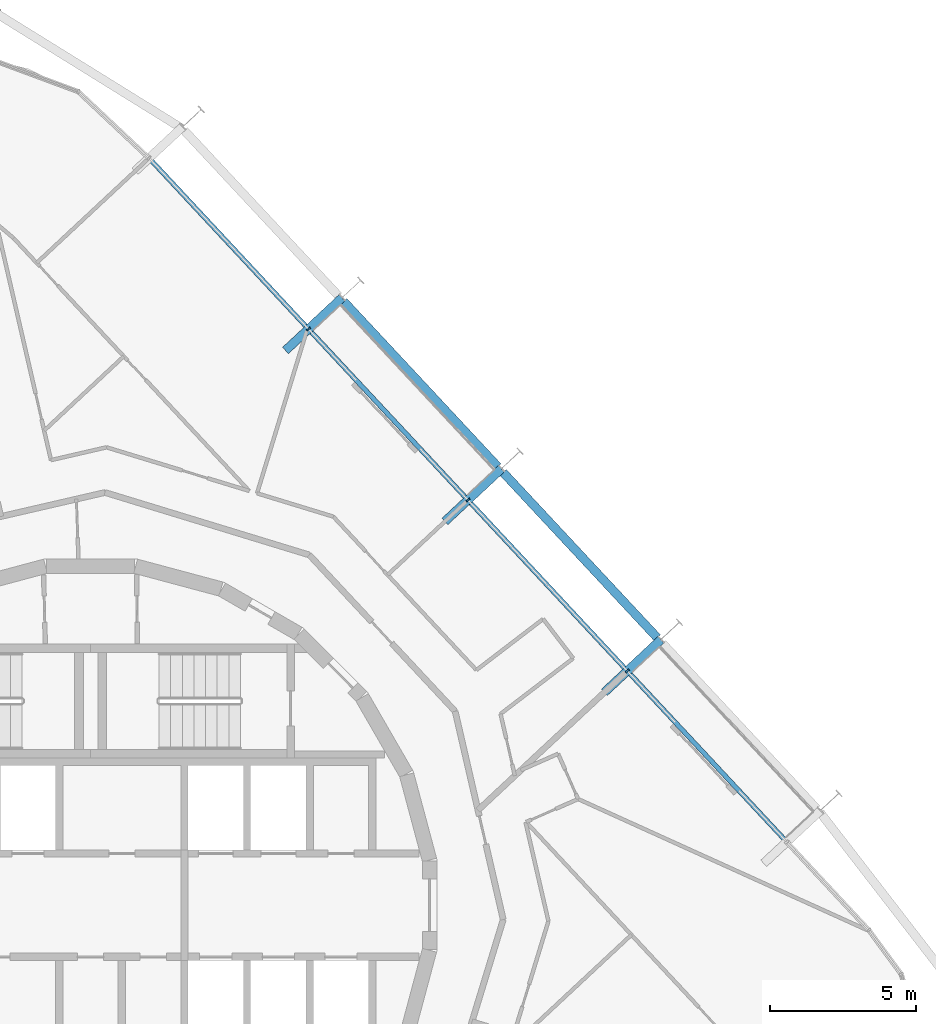
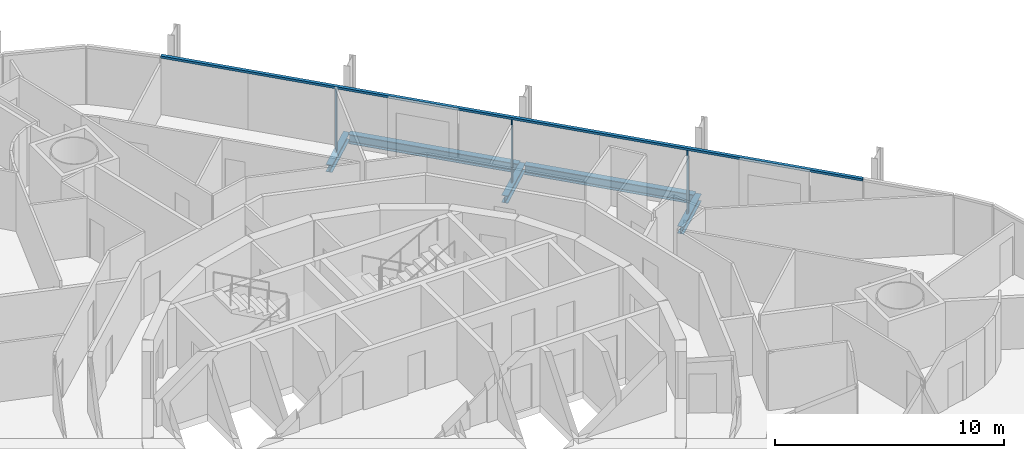
# One storey, part 9 of 18: 5 beams, 4 members, 1 element without a shape of its own.
"""IFC4 building model written with IfcOpenShell, lengths in metres."""

from ifc_helpers import new_model, si_unit, direction, frame, origin, origin_2d, place, context, subcontext, project, spatial, rectangle, i_section, extrude, material, layer, layer_set, material_profile, profile_set, type_object, element, aggregate, save


model = new_model("IFC4")

# Units and contexts
model_context = context("Model", 3, precision=1e-05, world=origin(), true_north=direction((0.0, 1.0)))
body_context = subcontext(model_context, "Body", "Model", "MODEL_VIEW")
ifc_project = project(units=[si_unit("LENGTHUNIT", "METRE"), si_unit("AREAUNIT", "SQUARE_METRE"), si_unit("VOLUMEUNIT", "CUBIC_METRE"), si_unit("PLANEANGLEUNIT", "RADIAN"), si_unit("MASSUNIT", "GRAM", prefix="KILO")], contexts=[model_context])

# Site, building, storey
site_placement = place(None, origin())
site = spatial("IfcSite", under=ifc_project, at=site_placement, CompositionType="ELEMENT")
building_placement = place(site_placement, origin())
building = spatial("IfcBuilding", under=site, at=building_placement, Name="Spindle Arch Residences", CompositionType="ELEMENT")
storey_placement = place(building_placement, frame((0.0, 0.0, 130.89990234375)))
storey = spatial("IfcBuildingStorey", under=building, at=storey_placement, Name="L32", CompositionType="ELEMENT", Elevation=130.89990234375)

# Curtain wall, members
ifc_material_1 = material(Name="Aluminium bronze unitised frame with tinted glass", Category="aluminium")
ifc_layer = layer(ifc_material_1, 0.159912109375)
ifc_layer_set = layer_set([ifc_layer], Name="CW-C typical residential unitised wall")
curtain_wall_type = type_object("IfcCurtainWallType", Name="CW-C typical residential unitised wall", PredefinedType="NOTDEFINED", material=ifc_layer_set)
curtain_wall_placement = place(storey_placement, origin())
curtain_wall = element("IfcCurtainWall", 1, at=curtain_wall_placement, inside=storey, type_object=curtain_wall_type, Name="CW-C L32 run 2", PredefinedType="NOTDEFINED")
ifc_material_2 = material(Name="Aluminium bronze anodised mullion", Category="aluminium")
ifc_material_profile_1 = material_profile(ifc_material_2, rectangle(XDim=0.159912109375, YDim=0.06005859375, at=origin_2d()), Name="MU 60x160")
ifc_profile_set_1 = profile_set([ifc_material_profile_1], Name="Aluminium bronze anodised mullion")
member_type_1 = type_object("IfcMemberType", Name="Bronze mullion 60x160", PredefinedType="MULLION", material=ifc_profile_set_1)
member_1_placement = place(storey_placement, frame((18.437744140625, 8.044677734375, -0.3798828125), z_axis=(0.0, 0.0, 1.0), x_axis=(-0.731353701619, -0.681998360062, 0.0)))
member_1 = element("IfcMember", 2, at=member_1_placement, type_object=member_type_1, Name="CW-C mullion 06", PredefinedType="MULLION", context=body_context, shape_type="SweptSolid", body=[
    extrude(rectangle(XDim=0.159912109375, YDim=0.06005859375, at=origin_2d()), origin(), (0.0, 0.0, 1.0), 3.3798828125),
])
member_2_placement = place(storey_placement, frame((12.961669921875, 13.916748046875, -0.3798828125), z_axis=(0.0, 0.0, 1.0), x_axis=(-0.731353701619, -0.681998360062, 0.0)))
member_2 = element("IfcMember", 3, at=member_2_placement, type_object=member_type_1, Name="CW-C mullion 07", PredefinedType="MULLION", context=body_context, shape_type="SweptSolid", body=[
    extrude(rectangle(XDim=0.159912109375, YDim=0.06005859375, at=origin_2d()), origin(), (0.0, 0.0, 1.0), 3.3798828125),
])
member_3_placement = place(storey_placement, frame((7.48583984375, 19.7890625, -0.3798828125), z_axis=(0.0, 0.0, 1.0), x_axis=(-0.731353701619, -0.681998360062, 0.0)))
member_3 = element("IfcMember", 4, at=member_3_placement, type_object=member_type_1, Name="CW-C mullion 08", PredefinedType="MULLION", context=body_context, shape_type="SweptSolid", body=[
    extrude(rectangle(XDim=0.159912109375, YDim=0.06005859375, at=origin_2d()), origin(), (0.0, 0.0, 1.0), 3.3798828125),
])
ifc_material_3 = material(Name="Aluminium bronze anodised transom", Category="aluminium")
ifc_material_profile_2 = material_profile(ifc_material_3, rectangle(XDim=0.159912109375, YDim=0.1201171875, at=origin_2d()), Name="TR 120x160")
ifc_profile_set_2 = profile_set([ifc_material_profile_2], Name="Aluminium bronze anodised transom")
member_type_2 = type_object("IfcMemberType", Name="Bronze transom 120x160", PredefinedType="USERDEFINED", material=ifc_profile_set_2)
member_4_placement = place(storey_placement, frame((23.89306640625, 2.1943359375, 3.06005859375), z_axis=(-0.681996633995, 0.731355311199, 0.0), x_axis=(-0.731355311199, -0.681996633995, 0.0)))
member_4 = element("IfcMember", 5, at=member_4_placement, type_object=member_type_2, Name="CW-C transom 00", ObjectType="TRANSOM", PredefinedType="USERDEFINED", context=body_context, shape_type="SweptSolid", body=[
    extrude(rectangle(XDim=0.159912109375, YDim=0.1201171875, at=origin_2d()), origin(), (0.0, 0.0, 1.0), 32.056640625),
])
aggregate(curtain_wall, [member_4, member_1, member_2, member_3])

# Beams
ifc_material_4 = material(Name="Steel S460ML, intumescent coating R 120", Category="steel")
ifc_material_profile_3 = material_profile(ifc_material_4, i_section(OverallWidth=0.300048828125, OverallDepth=0.5, WebThickness=0.014404296875, FlangeThickness=0.028076171875, FilletRadius=0.027099609375, at=origin_2d()), Name="HEB 500")
ifc_profile_set_3 = profile_set([ifc_material_profile_3], Name="Steel S460ML, intumescent coating R 120")
beam_type_1 = type_object("IfcBeamType", Name="Exoskeleton edge beam HEB 500", PredefinedType="BEAM", material=ifc_profile_set_3)
beam_1_placement = place(storey_placement, frame((19.468017578125, 9.18310546875, -0.6298828125), z_axis=(-0.681992374481, 0.731359283218, 0.0), x_axis=(-0.731359283218, -0.681992374481, 0.0)))
element("IfcBeam", 6, at=beam_1_placement, inside=storey, type_object=beam_type_1, Name="Exoskeleton edge beam 7", PredefinedType="BEAM", context=body_context, shape_type="SweptSolid", body=[
    extrude(i_section(OverallWidth=0.300048828125, OverallDepth=0.5, WebThickness=0.014404296875, FlangeThickness=0.028076171875, FilletRadius=0.027099609375, at=origin_2d()), origin(), (0.0, 0.0, 1.0), 7.769287109375),
])
beam_2_placement = place(storey_placement, frame((13.9921875, 15.055419921875, -0.6298828125), z_axis=(-0.682008048331, 0.731344667042, 0.0), x_axis=(-0.731344667042, -0.682008048331, 0.0)))
element("IfcBeam", 7, at=beam_2_placement, inside=storey, type_object=beam_type_1, Name="Exoskeleton edge beam 8", PredefinedType="BEAM", context=body_context, shape_type="SweptSolid", body=[
    extrude(i_section(OverallWidth=0.300048828125, OverallDepth=0.5, WebThickness=0.014404296875, FlangeThickness=0.028076171875, FilletRadius=0.027099609375, at=origin_2d()), origin(), (0.0, 0.0, 1.0), 7.76904296875),
])
ifc_material_5 = material(Name="Steel S460ML, intumescent coating R 120", Category="steel")
ifc_material_profile_4 = material_profile(ifc_material_5, i_section(OverallWidth=0.300048828125, OverallDepth=0.389892578125, WebThickness=0.010986328125, FlangeThickness=0.01904296875, FilletRadius=0.027099609375, at=origin_2d()), Name="HEA 400")
ifc_profile_set_4 = profile_set([ifc_material_profile_4], Name="Steel S460ML, intumescent coating R 120")
beam_type_2 = type_object("IfcBeamType", Name="Floor outrigger HEA 400", PredefinedType="BEAM", material=ifc_profile_set_4)
beam_3_placement = place(storey_placement, frame((19.5859375, 9.115478515625, -0.574951171875), z_axis=(-0.731364603864, -0.681986668649, 0.0), x_axis=(0.681986668649, -0.731364603864, 0.0)))
element("IfcBeam", 8, at=beam_3_placement, inside=storey, type_object=beam_type_2, Name="Floor outrigger 7", PredefinedType="BEAM", context=body_context, shape_type="SweptSolid", body=[
    extrude(i_section(OverallWidth=0.300048828125, OverallDepth=0.389892578125, WebThickness=0.010986328125, FlangeThickness=0.01904296875, FilletRadius=0.027099609375, at=origin_2d()), origin(), (0.0, 0.0, 1.0), 2.650146484375),
])
for number, where, z_axis, x_axis, name in (
    (9, (14.110107421875, 14.987548828125, -0.574951171875), (-0.731410554291, -0.681937387941, 0.0), (0.681937387941, -0.731410554291, 0.0), "Floor outrigger 8"),
    (10, (8.634033203125, 20.859619140625, -0.574951171875), (-0.731367706511, -0.681983341345, 0.0), (0.681983341345, -0.731367706511, 0.0), "Floor outrigger 9"),
):
    element("IfcBeam", number, at=place(storey_placement, frame(where, z_axis=z_axis, x_axis=x_axis)), inside=storey, type_object=beam_type_2, Name=name, PredefinedType="BEAM", context=body_context, shape_type="SweptSolid", body=[
        extrude(i_section(OverallWidth=0.300048828125, OverallDepth=0.389892578125, WebThickness=0.010986328125, FlangeThickness=0.01904296875, FilletRadius=0.027099609375, at=origin_2d()), origin(), (0.0, 0.0, 1.0), 2.64990234375),
    ])

save(model, "model.ifc")
